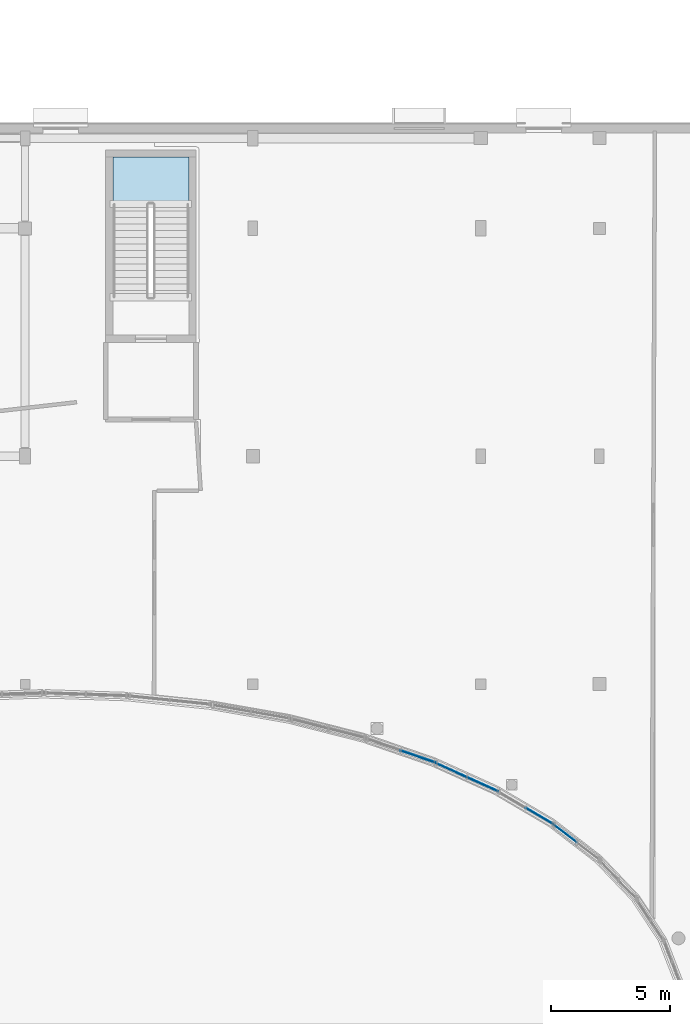
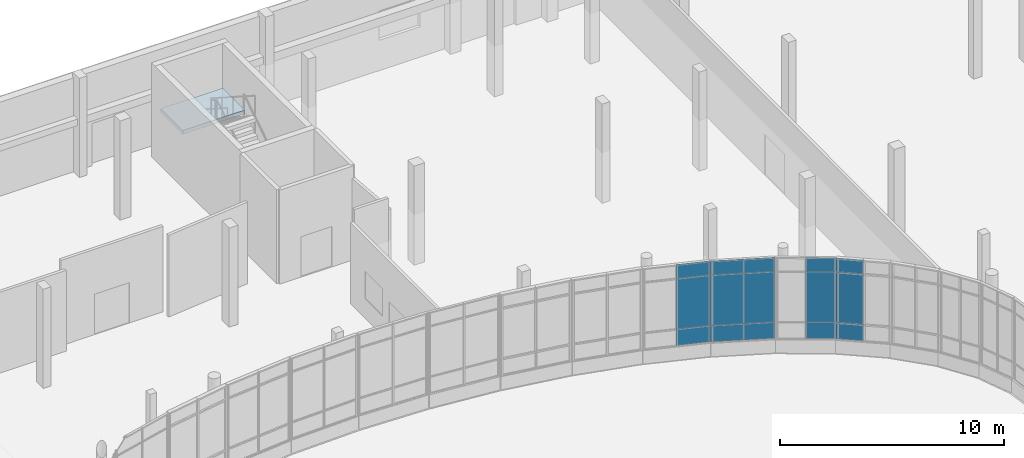
# One storey, part 36 of 84: 15 plates, 1 slab, 5 elements without a shape of their own.
"""IFC4 building model written with IfcOpenShell, lengths in metres."""

import ifcopenshell
import ifcopenshell.guid

model = None  # the IFC model being written
_history = None  # IfcOwnerHistory: only IFC2X3 demands one
_inside = {}  # id of a spatial element -> (the spatial element, [elements in it])
_under = {}  # id of a project, library or spatial element -> (it, [spatial elements below it])
_declared = {}  # id of a project -> (the project, [libraries it declares])
_typed = {}  # id of a type object -> (the type object, [elements of that type])
_made_of = {}  # id of a material, layer set ... -> (it, [elements and type objects made of it])


def new_model(schema):
    """Start an empty IFC model of exactly this schema.

    Asked for "IFC4X3", IfcOpenShell would pick the latest addendum, in which some entities
    have other attributes; the version numbers below select the first issue.
    IFC2X3 requires an IfcOwnerHistory on every rooted entity: one is made here for all.
    """
    global model, _history
    if schema == "IFC4X3":
        model = ifcopenshell.file(schema_version=(4, 3, 0, 0))
    else:
        model = ifcopenshell.file(schema=schema)
    _inside.clear()
    _under.clear()
    _declared.clear()
    _typed.clear()
    _made_of.clear()
    _history = None
    if model.schema == "IFC2X3":
        org = make("IfcOrganization", Name="unknown")
        user = make(
            "IfcPersonAndOrganization",
            ThePerson=make("IfcPerson", FamilyName="unknown"),
            TheOrganization=org,
        )
        app = make(
            "IfcApplication",
            ApplicationDeveloper=org,
            Version="unknown",
            ApplicationFullName="unknown",
            ApplicationIdentifier="unknown",
        )
        _history = make(
            "IfcOwnerHistory",
            OwningUser=user,
            OwningApplication=app,
            ChangeAction="ADDED",
            CreationDate=0,
        )
    return model


def make(cls, **values):
    """One entity of the class cls with the attributes given. An attribute that is None is left unset."""
    return model.create_entity(
        cls, **{name: value for name, value in values.items() if value is not None}
    )


def rooted(cls, **values):
    """An entity with a GlobalId (a new one), such as an element, a storey or a relation."""
    return make(cls, GlobalId=ifcopenshell.guid.new(), OwnerHistory=_history, **values)


def si_unit(unit_type, name, prefix=None):
    """IfcSIUnit, for example si_unit("LENGTHUNIT", "METRE", prefix="MILLI")."""
    return make("IfcSIUnit", UnitType=unit_type, Prefix=prefix, Name=name)


def assignment(units):
    """IfcUnitAssignment: the units of a project."""
    return None if units is None else make("IfcUnitAssignment", Units=units)


def point(xyz):
    """IfcCartesianPoint."""
    return None if xyz is None else make("IfcCartesianPoint", Coordinates=xyz)


def direction(xyz):
    """IfcDirection."""
    return None if xyz is None else make("IfcDirection", DirectionRatios=xyz)


def frame(location, z_axis=None, x_axis=None):
    """IfcAxis2Placement3D, a coordinate frame: its origin and axes. An axis left out is left unset."""
    return make(
        "IfcAxis2Placement3D",
        Location=point(location),
        Axis=direction(z_axis),
        RefDirection=direction(x_axis),
    )


def frame_2d(location, x_axis=None):
    """IfcAxis2Placement2D, a coordinate frame in the plane: its origin and x axis."""
    return make(
        "IfcAxis2Placement2D", Location=point(location), RefDirection=direction(x_axis)
    )


def origin():
    """The frame at (0, 0, 0) with its axes left unset."""
    return frame((0.0, 0.0, 0.0))


def origin_2d():
    """The frame at (0, 0) in the plane with its x axis left unset."""
    return frame_2d((0.0, 0.0))


def place(relative_to, where):
    """IfcLocalPlacement: puts the frame where relative to a parent placement (None: the world)."""
    return make(
        "IfcLocalPlacement", PlacementRelTo=relative_to, RelativePlacement=where
    )


def context(
    kind, dimensions, precision=None, world=None, true_north=None, identifier=None
):
    """IfcGeometricRepresentationContext, for example the 3D "Model" context."""
    return make(
        "IfcGeometricRepresentationContext",
        ContextIdentifier=identifier,
        ContextType=kind,
        CoordinateSpaceDimension=dimensions,
        Precision=precision,
        WorldCoordinateSystem=world,
        TrueNorth=true_north,
    )


def subcontext(parent, identifier, kind, view, scale=None):
    """IfcGeometricRepresentationSubContext, for example "Body" below "Model"."""
    return make(
        "IfcGeometricRepresentationSubContext",
        ContextIdentifier=identifier,
        ContextType=kind,
        ParentContext=parent,
        TargetScale=scale,
        TargetView=view,
    )


def project(units=None, contexts=None):
    """IfcProject with its units and contexts."""
    return rooted(
        "IfcProject",
        Name="project",
        RepresentationContexts=contexts,
        UnitsInContext=assignment(units),
    )


def spatial(cls, under=None, at=None, **own):
    """A site, building, storey or space (cls), placed at a placement, below another one or the project."""
    s = rooted(cls, ObjectPlacement=at, **own)
    if under is not None:
        _under.setdefault(under.id(), (under, []))[1].append(s)
    return s


def polyline(points):
    """IfcPolyline through the points."""
    return make("IfcPolyline", Points=[point(p) for p in points])


def profile(cls, at=None, kind="AREA", **sizes):
    """A parametric profile (cls). Its sizes go by their IFC names, for example OverallWidth=200.0."""
    return make(cls, ProfileType=kind, Position=at, **sizes)


def rectangle(**sizes):
    """IfcRectangleProfileDef."""
    return profile("IfcRectangleProfileDef", **sizes)


def outline(outer, holes=None, kind="AREA"):
    """IfcArbitraryClosedProfileDef: a profile drawn as a closed curve; with holes, ...WithVoids."""
    if holes is None:
        return make("IfcArbitraryClosedProfileDef", ProfileType=kind, OuterCurve=outer)
    return make(
        "IfcArbitraryProfileDefWithVoids",
        ProfileType=kind,
        OuterCurve=outer,
        InnerCurves=holes,
    )


def extrude(swept, where, along, depth):
    """IfcExtrudedAreaSolid: the profile swept, set in the frame where, extruded along a direction by depth."""
    return make(
        "IfcExtrudedAreaSolid",
        SweptArea=swept,
        Position=where,
        ExtrudedDirection=direction(along),
        Depth=depth,
    )


def shape(context_of_items, identifier, shape_type, items):
    """IfcShapeRepresentation: the items that make up one representation, for example the "Body"."""
    return make(
        "IfcShapeRepresentation",
        ContextOfItems=context_of_items,
        RepresentationIdentifier=identifier,
        RepresentationType=shape_type,
        Items=items,
    )


def material(Name=None, Category=None):
    """IfcMaterial."""
    return make("IfcMaterial", Name=Name, Category=Category)


def layer(
    of_material, thickness, ventilated=None, Name=None, Category=None, Priority=None
):
    """IfcMaterialLayer: one layer of a wall or slab, of a material (None: an air gap)."""
    return make(
        "IfcMaterialLayer",
        Material=of_material,
        LayerThickness=thickness,
        IsVentilated=ventilated,
        Name=Name,
        Category=Category,
        Priority=Priority,
    )


def layer_set(layers, Name=None):
    """IfcMaterialLayerSet."""
    return make("IfcMaterialLayerSet", MaterialLayers=layers, LayerSetName=Name)


def made_of(thing, what):
    """Note that an element or type object is made of a material, layer set ...; save() writes the relation."""
    if what is not None:
        _made_of.setdefault(what.id(), (what, []))[1].append(thing)
    return thing


def type_object(cls, material=None, **own):
    """A type object (cls), such as IfcWallType, which elements share."""
    return made_of(rooted(cls, **own), material)


def element(
    cls,
    number,
    at=None,
    inside=None,
    cuts=None,
    type_object=None,
    material=None,
    context=None,
    identifier="Body",
    shape_type=None,
    held_by="IfcProductDefinitionShape",
    body=None,
    shapes=None,
    **own,
):
    """One element of the class cls, such as IfcWall. Its Tag is "e" and its number.

    at: its placement. inside: the storey or other place that contains it. cuts: it is an
    opening in that element (IfcRelVoidsElement). A single representation is given by context,
    identifier, shape_type and body (its items); several are given by shapes. held_by: the class
    of the entity that holds the representations. save() writes the other relations.
    """
    e = rooted(cls, Tag="e%d" % number, ObjectPlacement=at, **own)
    if body is not None:
        shapes = [shape(context, identifier, shape_type, body)]
    if shapes is not None:
        e.Representation = make(held_by, Representations=shapes)
    if inside is not None:
        _inside.setdefault(inside.id(), (inside, []))[1].append(e)
    if cuts is not None:
        rooted(
            "IfcRelVoidsElement", RelatingBuildingElement=cuts, RelatedOpeningElement=e
        )
    if type_object is not None:
        _typed.setdefault(type_object.id(), (type_object, []))[1].append(e)
    return made_of(e, material)


def aggregate(whole, parts):
    """IfcRelAggregates: a whole, such as a stair, and the parts it consists of."""
    return rooted("IfcRelAggregates", RelatingObject=whole, RelatedObjects=parts)


def save(model, path):
    """Write the relations noted so far, then the file.

    IfcRelAggregates (storeys below a building ...), IfcRelContainedInSpatialStructure (elements
    in a storey), IfcRelDefinesByType, IfcRelAssociatesMaterial and IfcRelDeclares: one each for
    every whole, place, type object, material and project.
    """
    for whole, parts in _under.values():
        aggregate(whole, parts)
    for where, things in _inside.values():
        rooted(
            "IfcRelContainedInSpatialStructure",
            RelatedElements=things,
            RelatingStructure=where,
        )
    for kind, things in _typed.values():
        rooted("IfcRelDefinesByType", RelatedObjects=things, RelatingType=kind)
    for what, things in _made_of.values():
        rooted("IfcRelAssociatesMaterial", RelatedObjects=things, RelatingMaterial=what)
    for by, libraries in _declared.values():
        rooted("IfcRelDeclares", RelatingContext=by, RelatedDefinitions=libraries)
    model.write(path)


model = new_model("IFC4")

# Units and contexts
model_context = context("Model", 3, precision=1e-05, world=origin(), true_north=direction((0.0, 1.0)))
body_context = subcontext(model_context, "Body", "Model", "MODEL_VIEW")
ifc_project = project(units=[si_unit("LENGTHUNIT", "METRE"), si_unit("AREAUNIT", "SQUARE_METRE"), si_unit("VOLUMEUNIT", "CUBIC_METRE"), si_unit("PLANEANGLEUNIT", "RADIAN"), si_unit("MASSUNIT", "GRAM", prefix="KILO")], contexts=[model_context])

# Site, building, storey
site_placement = place(None, origin())
site = spatial("IfcSite", under=ifc_project, at=site_placement, CompositionType="ELEMENT")
building_placement = place(site_placement, origin())
building = spatial("IfcBuilding", under=site, at=building_placement, Name="Mzevani Central Library", CompositionType="ELEMENT")
storey_placement = place(building_placement, origin())
storey = spatial("IfcBuildingStorey", under=building, at=storey_placement, Name="L00", CompositionType="ELEMENT", Elevation=0.0)

# Curtain wall, plate
ifc_material_1 = material(Name="Thermally broken aluminium and Low-E triple glazing", Category="aluminium")
curtain_wall_type_1 = type_object("IfcCurtainWallType", Name="Elliptical Court Unitised Curtain Wall", PredefinedType="NOTDEFINED", material=ifc_material_1)
curtain_wall_1_placement = place(storey_placement, origin())
curtain_wall_1 = element("IfcCurtainWall", 1, at=curtain_wall_1_placement, inside=storey, type_object=curtain_wall_type_1, Name="L00 Elliptical Court Curtain Wall 5", PredefinedType="NOTDEFINED")
ifc_material_2 = material(Name="Thermally broken aluminium AW-6060", Category="aluminium")
ifc_layer_1 = layer(ifc_material_2, 0.0419921875, Name="CW Insulated Spandrel Panel 42")
ifc_layer_set_1 = layer_set([ifc_layer_1], Name="Thermally broken aluminium AW-6060")
plate_type_1 = type_object("IfcPlateType", Name="CW Insulated Spandrel Panel 42", PredefinedType="CURTAIN_PANEL", material=ifc_layer_set_1)
plate_1_placement = place(storey_placement, frame((105.956787109375, 84.1044921875, 0.719970703125), z_axis=(0.0, 0.0, 1.0), x_axis=(-0.791828313632, 0.610743744734, 0.0)))
plate_1 = element("IfcPlate", 2, at=plate_1_placement, type_object=plate_type_1, Name="L00 Elliptical Court Curtain Wall 5 Spandrel Panel 4", PredefinedType="CURTAIN_PANEL", context=body_context, shape_type="SweptSolid", body=[
    extrude(rectangle(XDim=1.229736328125, YDim=0.0419921875, at=origin_2d()), origin(), (0.0, 0.0, 1.0), 0.89990234375),
])

curtain_wall_2_placement = place(storey_placement, origin())
curtain_wall_2 = element("IfcCurtainWall", 3, at=curtain_wall_2_placement, inside=storey, type_object=curtain_wall_type_1, Name="L00 Elliptical Court Curtain Wall 6", PredefinedType="NOTDEFINED")
plate_2_placement = place(storey_placement, frame((104.884521484375, 84.838623046875, 0.719970703125), z_axis=(0.0, 0.0, 1.0), x_axis=(-0.862137189544, 0.506674911956, 0.0)))
plate_2 = element("IfcPlate", 4, at=plate_2_placement, type_object=plate_type_1, Name="L00 Elliptical Court Curtain Wall 6 Spandrel Panel 1", PredefinedType="CURTAIN_PANEL", context=body_context, shape_type="SweptSolid", body=[
    extrude(rectangle(XDim=1.340576171875, YDim=0.0419921875, at=origin_2d()), origin(), (0.0, 0.0, 1.0), 0.89990234375),
])

# Curtain wall, plates
curtain_wall_type_2 = type_object("IfcCurtainWallType", Name="Reading Hall Northlight Curtain Wall", PredefinedType="NOTDEFINED", material=ifc_material_1)
curtain_wall_3_placement = place(storey_placement, origin())
curtain_wall_3 = element("IfcCurtainWall", 5, at=curtain_wall_3_placement, inside=storey, type_object=curtain_wall_type_2, Name="L00 Elliptical Court Curtain Wall 7", PredefinedType="NOTDEFINED")
plate_3_placement = place(storey_placement, frame((102.481201171875, 86.176025390625, 0.719970703125), z_axis=(0.0, 0.0, 1.0), x_axis=(-0.911237291888, 0.411881776573, 0.0)))
plate_3 = element("IfcPlate", 6, at=plate_3_placement, type_object=plate_type_1, Name="L00 Elliptical Court Curtain Wall 7 Spandrel Panel 1", PredefinedType="CURTAIN_PANEL", context=body_context, shape_type="SweptSolid", body=[
    extrude(rectangle(XDim=1.4462890625, YDim=0.0419921875, at=origin_2d()), origin(), (0.0, 0.0, 1.0), 0.89990234375),
])
plate_4_placement = place(storey_placement, frame((101.163330078125, 86.771728515625, 0.719970703125), z_axis=(0.0, 0.0, 1.0), x_axis=(-0.911237291888, 0.411881776573, 0.0)))
plate_4 = element("IfcPlate", 7, at=plate_4_placement, type_object=plate_type_1, Name="L00 Elliptical Court Curtain Wall 7 Spandrel Panel 4", PredefinedType="CURTAIN_PANEL", context=body_context, shape_type="SweptSolid", body=[
    extrude(rectangle(XDim=1.4462890625, YDim=0.0419921875, at=origin_2d()), origin(), (0.0, 0.0, 1.0), 0.89990234375),
])

# Curtain wall, plate
curtain_wall_4_placement = place(storey_placement, origin())
curtain_wall_4 = element("IfcCurtainWall", 8, at=curtain_wall_4_placement, inside=storey, type_object=curtain_wall_type_1, Name="L00 Elliptical Court Curtain Wall 8", PredefinedType="NOTDEFINED")
plate_5_placement = place(storey_placement, frame((99.76025390625, 87.34326171875, 0.719970703125), z_axis=(0.0, 0.0, 1.0), x_axis=(-0.945503232512, 0.325612710609, 0.0)))
plate_5 = element("IfcPlate", 9, at=plate_5_placement, type_object=plate_type_1, Name="L00 Elliptical Court Curtain Wall 8 Spandrel Panel 1", PredefinedType="CURTAIN_PANEL", context=body_context, shape_type="SweptSolid", body=[
    extrude(rectangle(XDim=1.54150390625, YDim=0.0419921875, at=origin_2d()), origin(), (0.0, 0.0, 1.0), 0.89990234375),
])

# Plate
ifc_material_3 = material(Name="Low-E triple glazing glass", Category="glass")
ifc_layer_2 = layer(ifc_material_3, 0.028076171875, Name="CW Triple Glazed Vision Panel 28")
ifc_layer_set_2 = layer_set([ifc_layer_2], Name="Low-E triple glazing glass")
plate_type_2 = type_object("IfcPlateType", Name="CW Triple Glazed Vision Panel 28", PredefinedType="CURTAIN_PANEL", material=ifc_layer_set_2)
plate_6_placement = place(storey_placement, frame((105.956787109375, 84.1044921875, 1.6201171875), z_axis=(0.0, 0.0, 1.0), x_axis=(-0.791828313632, 0.610743744734, 0.0)))
plate_6 = element("IfcPlate", 10, at=plate_6_placement, type_object=plate_type_2, Name="L00 Elliptical Court Curtain Wall 5 Vision Panel 5", PredefinedType="CURTAIN_PANEL", context=body_context, shape_type="SweptSolid", body=[
    extrude(rectangle(XDim=1.229736328125, YDim=0.028076171875, at=origin_2d()), origin(), (0.0, 0.0, 1.0), 2.75),
])

plate_7_placement = place(storey_placement, frame((105.956787109375, 84.1044921875, 4.3701171875), z_axis=(0.0, 0.0, 1.0), x_axis=(-0.791828313632, 0.610743744734, 0.0)))
plate_7 = element("IfcPlate", 11, at=plate_7_placement, type_object=plate_type_2, Name="L00 Elliptical Court Curtain Wall 5 Vision Panel 6", PredefinedType="CURTAIN_PANEL", context=body_context, shape_type="SweptSolid", body=[
    extrude(rectangle(XDim=1.229736328125, YDim=0.028076171875, at=origin_2d()), origin(), (0.0, 0.0, 1.0), 0.75),
])

aggregate(curtain_wall_1, [plate_1, plate_6, plate_7])

plate_8_placement = place(storey_placement, frame((104.884521484375, 84.838623046875, 1.6201171875), z_axis=(0.0, 0.0, 1.0), x_axis=(-0.862137189544, 0.506674911956, 0.0)))
plate_8 = element("IfcPlate", 12, at=plate_8_placement, type_object=plate_type_2, Name="L00 Elliptical Court Curtain Wall 6 Vision Panel 2", PredefinedType="CURTAIN_PANEL", context=body_context, shape_type="SweptSolid", body=[
    extrude(rectangle(XDim=1.340576171875, YDim=0.028076171875, at=origin_2d()), origin(), (0.0, 0.0, 1.0), 2.75),
])

plate_9_placement = place(storey_placement, frame((104.884521484375, 84.838623046875, 4.3701171875), z_axis=(0.0, 0.0, 1.0), x_axis=(-0.862137189544, 0.506674911956, 0.0)))
plate_9 = element("IfcPlate", 13, at=plate_9_placement, type_object=plate_type_2, Name="L00 Elliptical Court Curtain Wall 6 Vision Panel 3", PredefinedType="CURTAIN_PANEL", context=body_context, shape_type="SweptSolid", body=[
    extrude(rectangle(XDim=1.340576171875, YDim=0.028076171875, at=origin_2d()), origin(), (0.0, 0.0, 1.0), 0.75),
])

aggregate(curtain_wall_2, [plate_2, plate_8, plate_9])

plate_10_placement = place(storey_placement, frame((102.481201171875, 86.176025390625, 1.6201171875), z_axis=(0.0, 0.0, 1.0), x_axis=(-0.911237291888, 0.411881776573, 0.0)))
plate_10 = element("IfcPlate", 14, at=plate_10_placement, type_object=plate_type_2, Name="L00 Elliptical Court Curtain Wall 7 Vision Panel 2", PredefinedType="CURTAIN_PANEL", context=body_context, shape_type="SweptSolid", body=[
    extrude(rectangle(XDim=1.4462890625, YDim=0.028076171875, at=origin_2d()), origin(), (0.0, 0.0, 1.0), 2.75),
])

plate_11_placement = place(storey_placement, frame((102.481201171875, 86.176025390625, 4.3701171875), z_axis=(0.0, 0.0, 1.0), x_axis=(-0.911237291888, 0.411881776573, 0.0)))
plate_11 = element("IfcPlate", 15, at=plate_11_placement, type_object=plate_type_2, Name="L00 Elliptical Court Curtain Wall 7 Vision Panel 3", PredefinedType="CURTAIN_PANEL", context=body_context, shape_type="SweptSolid", body=[
    extrude(rectangle(XDim=1.4462890625, YDim=0.028076171875, at=origin_2d()), origin(), (0.0, 0.0, 1.0), 0.75),
])

plate_12_placement = place(storey_placement, frame((101.163330078125, 86.771728515625, 1.6201171875), z_axis=(0.0, 0.0, 1.0), x_axis=(-0.911237291888, 0.411881776573, 0.0)))
plate_12 = element("IfcPlate", 16, at=plate_12_placement, type_object=plate_type_2, Name="L00 Elliptical Court Curtain Wall 7 Vision Panel 5", PredefinedType="CURTAIN_PANEL", context=body_context, shape_type="SweptSolid", body=[
    extrude(rectangle(XDim=1.4462890625, YDim=0.028076171875, at=origin_2d()), origin(), (0.0, 0.0, 1.0), 2.75),
])

plate_13_placement = place(storey_placement, frame((101.163330078125, 86.771728515625, 4.3701171875), z_axis=(0.0, 0.0, 1.0), x_axis=(-0.911237291888, 0.411881776573, 0.0)))
plate_13 = element("IfcPlate", 17, at=plate_13_placement, type_object=plate_type_2, Name="L00 Elliptical Court Curtain Wall 7 Vision Panel 6", PredefinedType="CURTAIN_PANEL", context=body_context, shape_type="SweptSolid", body=[
    extrude(rectangle(XDim=1.4462890625, YDim=0.028076171875, at=origin_2d()), origin(), (0.0, 0.0, 1.0), 0.75),
])

aggregate(curtain_wall_3, [plate_3, plate_10, plate_11, plate_4, plate_12, plate_13])

plate_14_placement = place(storey_placement, frame((99.76025390625, 87.34326171875, 1.6201171875), z_axis=(0.0, 0.0, 1.0), x_axis=(-0.945503232512, 0.325612710609, 0.0)))
plate_14 = element("IfcPlate", 18, at=plate_14_placement, type_object=plate_type_2, Name="L00 Elliptical Court Curtain Wall 8 Vision Panel 2", PredefinedType="CURTAIN_PANEL", context=body_context, shape_type="SweptSolid", body=[
    extrude(rectangle(XDim=1.54150390625, YDim=0.028076171875, at=origin_2d()), origin(), (0.0, 0.0, 1.0), 2.75),
])

plate_15_placement = place(storey_placement, frame((99.76025390625, 87.34326171875, 4.3701171875), z_axis=(0.0, 0.0, 1.0), x_axis=(-0.945503232512, 0.325612710609, 0.0)))
plate_15 = element("IfcPlate", 19, at=plate_15_placement, type_object=plate_type_2, Name="L00 Elliptical Court Curtain Wall 8 Vision Panel 3", PredefinedType="CURTAIN_PANEL", context=body_context, shape_type="SweptSolid", body=[
    extrude(rectangle(XDim=1.54150390625, YDim=0.028076171875, at=origin_2d()), origin(), (0.0, 0.0, 1.0), 0.75),
])

aggregate(curtain_wall_4, [plate_5, plate_14, plate_15])

# Stair, slab
ifc_material_4 = material(Name="Concrete C35/45", Category="concrete")
stair_type = type_object("IfcStairType", Name="Dogleg Exit Stair 180x280", PredefinedType="HALF_TURN_STAIR", material=ifc_material_4)
stair_placement = place(storey_placement, origin())
stair = element("IfcStair", 20, at=stair_placement, inside=storey, type_object=stair_type, Name="L00 Core C3B Atrium East Escape Stair Exit Stair ST-01", PredefinedType="HALF_TURN_STAIR")
ifc_layer_3 = layer(ifc_material_4, 0.199951171875, Name="Stair Landing Slab 200")
ifc_layer_set_3 = layer_set([ifc_layer_3], Name="Concrete C35/45")
slab_type = type_object("IfcSlabType", Name="Stair Landing Slab 200", PredefinedType="LANDING", material=ifc_layer_set_3)
slab_placement = place(storey_placement, frame((0.0, 0.0, 2.5)))
slab = element("IfcSlab", 21, at=slab_placement, type_object=slab_type, Name="ST-06 landing 1", PredefinedType="LANDING", context=body_context, shape_type="SweptSolid", body=[
    extrude(outline(polyline([(90.10009765625, 110.6201171875), (90.10009765625, 112.60009765625), (86.89990234375, 112.60009765625), (86.89990234375, 110.6201171875), (90.10009765625, 110.6201171875)])), origin(), (0.0, 0.0, 1.0), 0.199951171875),
])
aggregate(stair, [slab])

save(model, "model.ifc")
